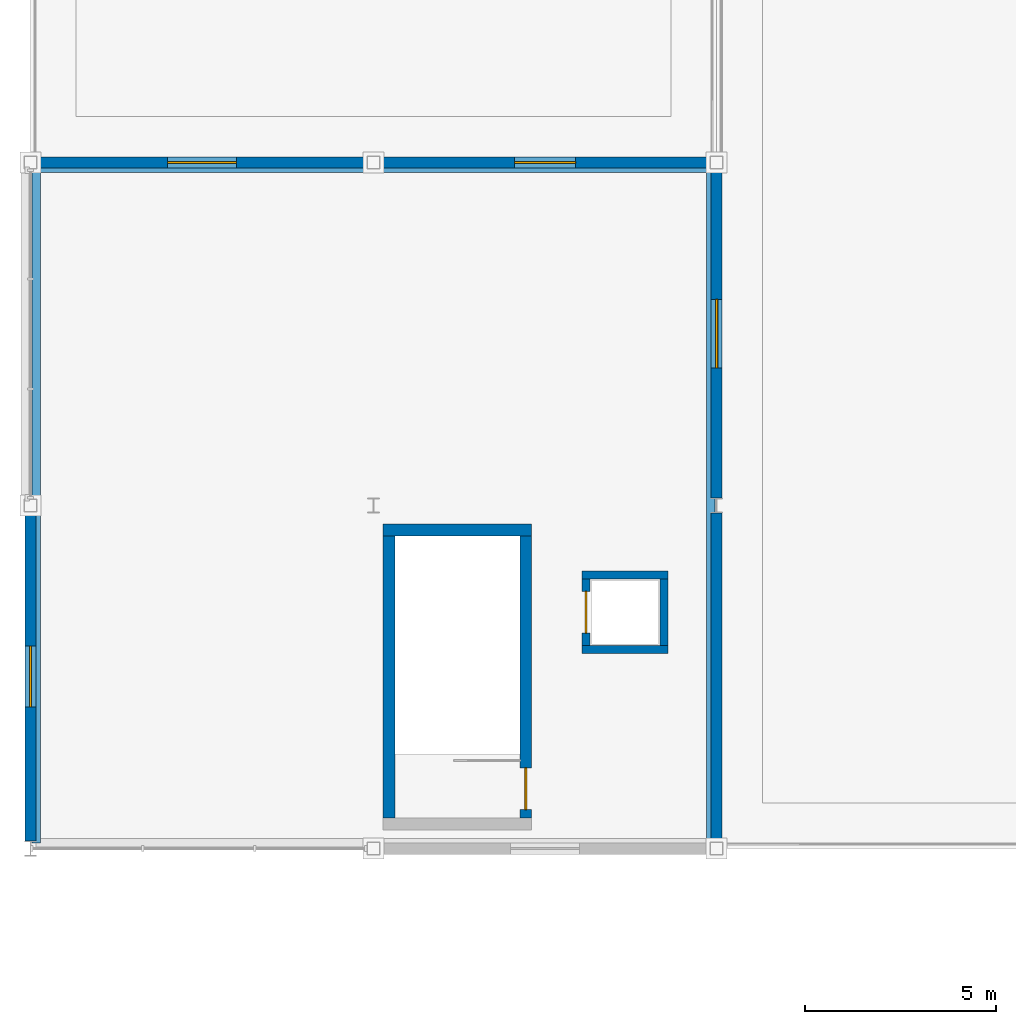
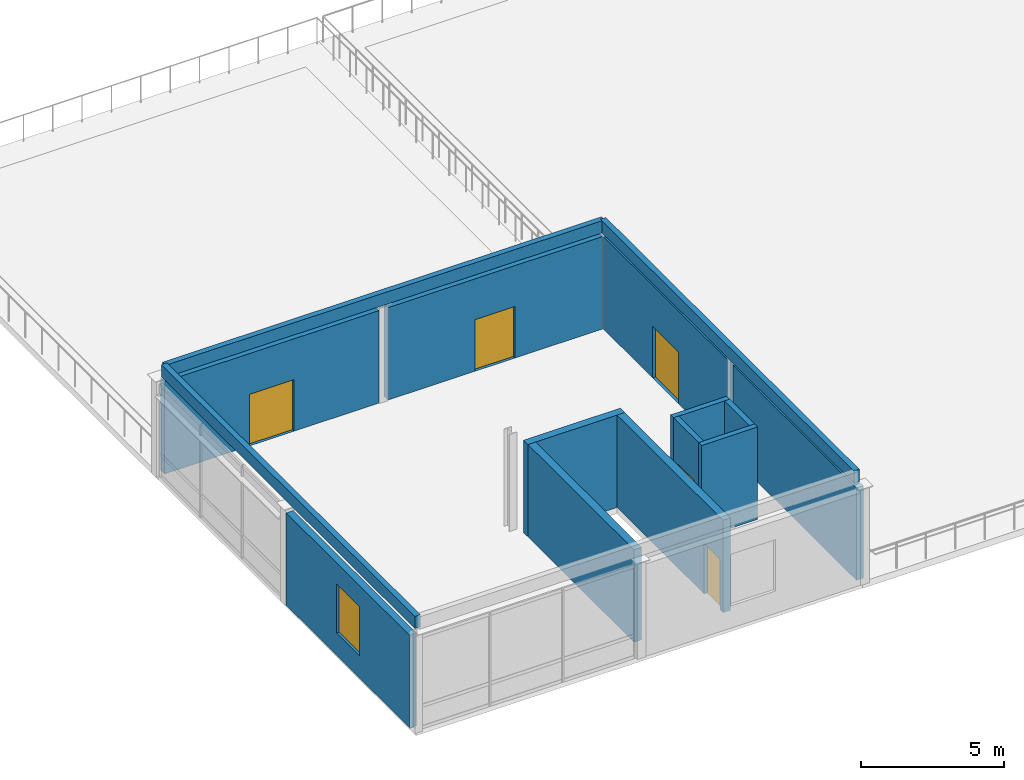
# One storey, part 9 of 14: 15 walls, 5 doors, 1 window, 6 openings.
"""IFC4 building model written with IfcOpenShell, lengths in metres."""

from ifc_helpers import new_model, si_unit, direction, frame, frame_2d, origin, place, context, subcontext, project, spatial, rectangle, extrude, material, layer, layer_set, type_object, element, fill, save


model = new_model("IFC4")

# Units and contexts
model_context = context("Model", 3, precision=1e-05, world=origin(), true_north=direction((0.0, 1.0)))
body_context = subcontext(model_context, "Body", "Model", "MODEL_VIEW")
ifc_project = project(units=[si_unit("LENGTHUNIT", "METRE"), si_unit("AREAUNIT", "SQUARE_METRE"), si_unit("VOLUMEUNIT", "CUBIC_METRE"), si_unit("PLANEANGLEUNIT", "RADIAN"), si_unit("MASSUNIT", "GRAM", prefix="KILO")], contexts=[model_context])

# Site, building, storey
site_placement = place(None, origin())
site = spatial("IfcSite", under=ifc_project, at=site_placement, CompositionType="ELEMENT")
building_placement = place(site_placement, origin())
building = spatial("IfcBuilding", under=site, at=building_placement, Name="Suzunagisa Mobility Hub", CompositionType="ELEMENT")
storey_placement = place(building_placement, frame((0.0, 0.0, 26.10009765625)))
storey = spatial("IfcBuildingStorey", under=building, at=storey_placement, Name="L06", CompositionType="ELEMENT", Elevation=26.10009765625)

# Walls
ifc_material_1 = material(Name="Concrete C30/37", Category="concrete")
ifc_layer_1 = layer(ifc_material_1, 0.219970703125)
ifc_layer_set_1 = layer_set([ifc_layer_1], Name="Concrete C30/37")
wall_type_1 = type_object("IfcWallType", Name="Exterior Wall EW-05 220mm", PredefinedType="PARAPET", material=ifc_layer_set_1)
for number, where, z_axis, x_axis, name in (
    (1, (45.14990234375, 80.14990234375, 4.199951171875), (0.0, 0.0, 1.0), (0.0, 1.0, 0.0), "Roof Penthouse Parapet PR-527"),
    (2, (45.14990234375, 97.85009765625, 4.199951171875), (0.0, 0.0, 1.0), (1.0, 0.0, 0.0), "Roof Penthouse Parapet PR-528"),
    (3, (62.85009765625, 97.85009765625, 4.199951171875), (0.0, 0.0, 1.0), (0.0, -1.0, 0.0), "Roof Penthouse Parapet PR-529"),
):
    element("IfcWall", number, at=place(storey_placement, frame(where, z_axis=z_axis, x_axis=x_axis)), inside=storey, type_object=wall_type_1, Name=name, PredefinedType="PARAPET", context=body_context, shape_type="SweptSolid", body=[
        extrude(rectangle(XDim=17.7001953125, YDim=0.219970703125, at=frame_2d((8.85009765625, 0.0))), origin(), (0.0, 0.0, 1.0), 0.52001953125),
    ])
ifc_material_2 = material(Name="Porcelain-Faced Insulated Concrete C30/37 Wall", Category="concrete")
ifc_layer_2 = layer(ifc_material_2, 0.280029296875)
ifc_layer_set_2 = layer_set([ifc_layer_2], Name="Porcelain-Faced Insulated Concrete C30/37 Wall")
wall_type_2 = type_object("IfcWallType", Name="Exterior Wall EW-08 280mm", PredefinedType="SOLIDWALL", material=ifc_layer_set_2)
wall_1_placement = place(storey_placement, frame((63.0, 80.175048828125, 0.0), z_axis=(0.0, 0.0, 1.0), x_axis=(0.0, 1.0, 0.0)))
element("IfcWall", 4, at=wall_1_placement, inside=storey, type_object=wall_type_2, Name="L06 Terrace Access Wall 257", PredefinedType="SOLIDWALL", context=body_context, shape_type="SweptSolid", body=[
    extrude(rectangle(XDim=8.6298828125, YDim=0.280029296875, at=frame_2d((4.31494140625, 0.0))), origin(), (0.0, 0.0, 1.0), 3.93994140625),
])

# Wall, opening, door
wall_2_placement = place(storey_placement, frame((63.0, 89.195068359375, 0.0), z_axis=(0.0, 0.0, 1.0), x_axis=(0.0, 1.0, 0.0)))
wall_2 = element("IfcWall", 5, at=wall_2_placement, inside=storey, type_object=wall_type_2, Name="L06 Terrace Access Wall 258", PredefinedType="SOLIDWALL", context=body_context, shape_type="SweptSolid", body=[
    extrude(rectangle(XDim=8.6298828125, YDim=0.280029296875, at=frame_2d((4.31494140625, 0.0))), origin(), (0.0, 0.0, 1.0), 3.93994140625),
])
opening_1_placement = place(wall_2_placement, frame((5.215087890625, 0.0, 0.0), z_axis=(0.0, 0.0, 1.0), x_axis=(-1.0, 0.0, 0.0)))
opening_1 = element("IfcOpeningElement", 6, at=opening_1_placement, cuts=wall_2, Name="Opening ED-12", PredefinedType="OPENING", context=body_context, shape_type="SweptSolid", body=[
    extrude(rectangle(XDim=1.800048828125, YDim=2.199951171875, at=frame_2d((0.89990234375, 1.10009765625))), frame((0.0, 0.15087890625, 0.0), z_axis=(0.0, -1.0, 0.0), x_axis=(1.0, 0.0, 0.0)), (0.0, 0.0, 1.0), 0.302001953125),
])
ifc_material_3 = material(Name="Anodized Aluminum and Tempered Safety Glass", Category="aluminium")
door_type_1 = type_object("IfcDoorType", Name="Exterior Glazed Aluminum Door ED-12 1800x2200", OperationType="DOUBLE_DOOR_SINGLE_SWING", PredefinedType="DOOR", material=ifc_material_3)
door_1_placement = place(opening_1_placement, origin())
door_1 = element("IfcDoor", 7, at=door_1_placement, inside=storey, type_object=door_type_1, Name="L06 Roof Garden Terrace Access Door TD-27", OperationType="SINGLE_SWING_LEFT", OverallHeight=2.199951171875, OverallWidth=1.800048828125, PredefinedType="DOOR", context=body_context, shape_type="SweptSolid", body=[
    extrude(rectangle(XDim=1.800048828125, YDim=2.199951171875, at=frame_2d((0.89990234375, 1.10009765625))), frame((0.0, 0.02490234375, 0.0), z_axis=(0.0, -1.0, 0.0), x_axis=(1.0, 0.0, 0.0)), (0.0, 0.0, 1.0), 0.050048828125),
])
fill(opening_1, door_1)

wall_3_placement = place(storey_placement, frame((62.824951171875, 98.0, 0.0), z_axis=(0.0, 0.0, 1.0), x_axis=(-1.0, 0.0, 0.0)))
wall_3 = element("IfcWall", 8, at=wall_3_placement, inside=storey, type_object=wall_type_2, Name="L06 Terrace Access Wall 259", PredefinedType="SOLIDWALL", context=body_context, shape_type="SweptSolid", body=[
    extrude(rectangle(XDim=8.64990234375, YDim=0.280029296875, at=frame_2d((4.324951171875, 0.0))), origin(), (0.0, 0.0, 1.0), 3.93994140625),
])
opening_2_placement = place(wall_3_placement, frame((5.125, 0.0, 0.0), z_axis=(0.0, 0.0, 1.0), x_axis=(-1.0, 0.0, 0.0)))
opening_2 = element("IfcOpeningElement", 9, at=opening_2_placement, cuts=wall_3, Name="Opening ED-03", PredefinedType="OPENING", context=body_context, shape_type="SweptSolid", body=[
    extrude(rectangle(XDim=1.60009765625, YDim=2.199951171875, at=frame_2d((0.800048828125, 1.10009765625))), frame((0.0, 0.15087890625, 0.0), z_axis=(0.0, -1.0, 0.0), x_axis=(1.0, 0.0, 0.0)), (0.0, 0.0, 1.0), 0.302001953125),
])
door_type_2 = type_object("IfcDoorType", Name="Exterior Glazed Aluminum Door ED-03 1600x2200", OperationType="DOUBLE_DOOR_SINGLE_SWING", PredefinedType="DOOR", material=ifc_material_3)
door_2_placement = place(opening_2_placement, origin())
door_2 = element("IfcDoor", 10, at=door_2_placement, inside=storey, type_object=door_type_2, Name="L06 Roof Garden Terrace Access Door TD-28", OperationType="SINGLE_SWING_LEFT", OverallHeight=2.199951171875, OverallWidth=1.60009765625, PredefinedType="DOOR", context=body_context, shape_type="SweptSolid", body=[
    extrude(rectangle(XDim=1.60009765625, YDim=2.199951171875, at=frame_2d((0.800048828125, 1.10009765625))), frame((0.0, 0.02490234375, 0.0), z_axis=(0.0, -1.0, 0.0), x_axis=(1.0, 0.0, 0.0)), (0.0, 0.0, 1.0), 0.050048828125),
])
fill(opening_2, door_2)

wall_4_placement = place(storey_placement, frame((53.824951171875, 98.0, 0.0), z_axis=(0.0, 0.0, 1.0), x_axis=(-1.0, 0.0, 0.0)))
wall_4 = element("IfcWall", 11, at=wall_4_placement, inside=storey, type_object=wall_type_2, Name="L06 Terrace Access Wall 260", PredefinedType="SOLIDWALL", context=body_context, shape_type="SweptSolid", body=[
    extrude(rectangle(XDim=8.64990234375, YDim=0.280029296875, at=frame_2d((4.324951171875, 0.0))), origin(), (0.0, 0.0, 1.0), 3.93994140625),
])
opening_3_placement = place(wall_4_placement, frame((5.22509765625, 0.0, 0.0), z_axis=(0.0, 0.0, 1.0), x_axis=(-1.0, 0.0, 0.0)))
opening_3 = element("IfcOpeningElement", 12, at=opening_3_placement, cuts=wall_4, Name="Opening ED-12", PredefinedType="OPENING", context=body_context, shape_type="SweptSolid", body=[
    extrude(rectangle(XDim=1.800048828125, YDim=2.199951171875, at=frame_2d((0.89990234375, 1.10009765625))), frame((0.0, 0.15087890625, 0.0), z_axis=(0.0, -1.0, 0.0), x_axis=(1.0, 0.0, 0.0)), (0.0, 0.0, 1.0), 0.302001953125),
])
door_3_placement = place(opening_3_placement, origin())
door_3 = element("IfcDoor", 13, at=door_3_placement, inside=storey, type_object=door_type_1, Name="L06 Roof Garden Terrace Access Door TD-29", OperationType="SINGLE_SWING_LEFT", OverallHeight=2.199951171875, OverallWidth=1.800048828125, PredefinedType="DOOR", context=body_context, shape_type="SweptSolid", body=[
    extrude(rectangle(XDim=1.800048828125, YDim=2.199951171875, at=frame_2d((0.89990234375, 1.10009765625))), frame((0.0, 0.02490234375, 0.0), z_axis=(0.0, -1.0, 0.0), x_axis=(1.0, 0.0, 0.0)), (0.0, 0.0, 1.0), 0.050048828125),
])
fill(opening_3, door_3)

# Wall, opening, window
wall_5_placement = place(storey_placement, frame((45.0, 88.824951171875, 0.0), z_axis=(0.0, 0.0, 1.0), x_axis=(0.0, -1.0, 0.0)))
wall_5 = element("IfcWall", 14, at=wall_5_placement, inside=storey, type_object=wall_type_2, Name="L06 Exterior Facade Wall EW-261", PredefinedType="SOLIDWALL", context=body_context, shape_type="SweptSolid", body=[
    extrude(rectangle(XDim=8.6298828125, YDim=0.280029296875, at=frame_2d((4.31494140625, 0.0))), origin(), (0.0, 0.0, 1.0), 3.93994140625),
])
opening_4_placement = place(wall_5_placement, frame((3.514892578125, 0.0, 0.949951171875)))
opening_4 = element("IfcOpeningElement", 15, at=opening_4_placement, cuts=wall_5, Name="Opening WN-04", PredefinedType="OPENING", context=body_context, shape_type="SweptSolid", body=[
    extrude(rectangle(XDim=1.60009765625, YDim=2.10009765625, at=frame_2d((0.800048828125, 1.050048828125))), frame((0.0, 0.15087890625, 0.0), z_axis=(0.0, -1.0, 0.0), x_axis=(1.0, 0.0, 0.0)), (0.0, 0.0, 1.0), 0.302001953125),
])
ifc_material_4 = material(Name="Thermally Broken Anodized Aluminum and Low-E Double Glazing", Category="aluminium")
window_type = type_object("IfcWindowType", Name="Aluminum Window WN-04 1600x2100", PartitioningType="SINGLE_PANEL", PredefinedType="WINDOW", material=ifc_material_4)
window_placement = place(opening_4_placement, origin())
window = element("IfcWindow", 16, at=window_placement, inside=storey, type_object=window_type, Name="L06 Scheduled Facade Window WN-88", OverallHeight=2.10009765625, OverallWidth=1.60009765625, PartitioningType="SINGLE_PANEL", PredefinedType="WINDOW", context=body_context, shape_type="SweptSolid", body=[
    extrude(rectangle(XDim=1.60009765625, YDim=2.10009765625, at=frame_2d((0.800048828125, 1.050048828125))), frame((0.0, 0.030029296875, 0.0), z_axis=(0.0, -1.0, 0.0), x_axis=(1.0, 0.0, 0.0)), (0.0, 0.0, 1.0), 0.06005859375),
])
fill(opening_4, window)

# Walls
ifc_material_5 = material(Name="Concrete C35/45", Category="concrete")
ifc_layer_3 = layer(ifc_material_5, 0.31005859375)
ifc_layer_set_3 = layer_set([ifc_layer_3], Name="Concrete C35/45")
wall_type_3 = type_object("IfcWallType", Name="Interior Wall IW-01 310mm", PredefinedType="SHEAR", material=ifc_layer_set_3)
wall_6_placement = place(storey_placement, frame((54.25, 88.35498046875, 0.0), z_axis=(0.0, 0.0, 1.0), x_axis=(1.0, 0.0, 0.0)))
element("IfcWall", 17, at=wall_6_placement, inside=storey, type_object=wall_type_3, Name="L06 Core C3 Shear Wall SW-238", PredefinedType="SHEAR", context=body_context, shape_type="SweptSolid", body=[
    extrude(rectangle(XDim=3.89990234375, YDim=0.31005859375, at=frame_2d((1.949951171875, 0.0))), origin(), (0.0, 0.0, 1.0), 3.93994140625),
])
wall_7_placement = place(storey_placement, frame((54.405029296875, 80.800048828125, 0.0), z_axis=(0.0, 0.0, 1.0), x_axis=(0.0, 1.0, 0.0)))
element("IfcWall", 18, at=wall_7_placement, inside=storey, type_object=wall_type_3, Name="L06 Core C3 Shear Wall SW-239", PredefinedType="SHEAR", context=body_context, shape_type="SweptSolid", body=[
    extrude(rectangle(XDim=7.39990234375, YDim=0.31005859375, at=frame_2d((3.699951171875, 0.0))), origin(), (0.0, 0.0, 1.0), 3.93994140625),
])

# Wall, opening, door
wall_8_placement = place(storey_placement, frame((57.9951171875, 80.800048828125, 0.0), z_axis=(0.0, 0.0, 1.0), x_axis=(0.0, 1.0, 0.0)))
wall_8 = element("IfcWall", 19, at=wall_8_placement, inside=storey, type_object=wall_type_3, Name="L06 Core C3 Shear Wall SW-240", PredefinedType="SHEAR", context=body_context, shape_type="SweptSolid", body=[
    extrude(rectangle(XDim=7.39990234375, YDim=0.31005859375, at=frame_2d((3.699951171875, 0.0))), origin(), (0.0, 0.0, 1.0), 3.93994140625),
])
opening_5_placement = place(wall_8_placement, frame((0.219970703125, 0.0, 0.0)))
opening_5 = element("IfcOpeningElement", 20, at=opening_5_placement, cuts=wall_8, Name="Opening DR-05", PredefinedType="OPENING", context=body_context, shape_type="SweptSolid", body=[
    extrude(rectangle(XDim=1.10009765625, YDim=2.14990234375, at=frame_2d((0.550048828125, 1.074951171875))), frame((0.0, 0.166015625, 0.0), z_axis=(0.0, -1.0, 0.0), x_axis=(1.0, 0.0, 0.0)), (0.0, 0.0, 1.0), 0.33203125),
])
ifc_material_6 = material(Name="Fire-Rated Hollow Steel Stair Door", Category="steel")
door_type_3 = type_object("IfcDoorType", Name="Interior Door DR-05 1100x2150", OperationType="SINGLE_SWING_LEFT", PredefinedType="DOOR", material=ifc_material_6)
door_4_placement = place(opening_5_placement, origin())
door_4 = element("IfcDoor", 21, at=door_4_placement, inside=storey, type_object=door_type_3, Name="L06 Core C3 Escape Stair Fire Door SD-58", OperationType="SINGLE_SWING_RIGHT", OverallHeight=2.14990234375, OverallWidth=1.10009765625, PredefinedType="DOOR", context=body_context, shape_type="SweptSolid", body=[
    extrude(rectangle(XDim=1.10009765625, YDim=2.14990234375, at=frame_2d((0.550048828125, 1.074951171875))), frame((0.0, 0.02490234375, 0.0), z_axis=(0.0, -1.0, 0.0), x_axis=(1.0, 0.0, 0.0)), (0.0, 0.0, 1.0), 0.050048828125),
])
fill(opening_5, door_4)

ifc_material_7 = material(Name="Fire-Rated Gypsum Stud Partition", Category="gypsum")
ifc_layer_4 = layer(ifc_material_7, 0.2099609375)
ifc_layer_set_4 = layer_set([ifc_layer_4], Name="Fire-Rated Gypsum Stud Partition")
wall_type_4 = type_object("IfcWallType", Name="Interior Wall IW-03 210mm", PredefinedType="PARTITIONING", material=ifc_layer_set_4)
wall_9_placement = place(storey_placement, frame((59.574951171875, 85.330078125, 0.0), z_axis=(0.0, 0.0, 1.0), x_axis=(0.0, 1.0, 0.0)))
wall_9 = element("IfcWall", 22, at=wall_9_placement, inside=storey, type_object=wall_type_4, Name="L06 Lift LF-04 Shaft Front Wall", PredefinedType="PARTITIONING", context=body_context, shape_type="SweptSolid", body=[
    extrude(rectangle(XDim=1.739990234375, YDim=0.2099609375, at=frame_2d((0.8701171875, 0.0))), origin(), (0.0, 0.0, 1.0), 3.93994140625),
])
opening_6_placement = place(wall_9_placement, frame((0.320068359375, 0.0, 0.0)))
opening_6 = element("IfcOpeningElement", 23, at=opening_6_placement, cuts=wall_9, Name="Opening LD-01", PredefinedType="OPENING", context=body_context, shape_type="SweptSolid", body=[
    extrude(rectangle(XDim=1.10009765625, YDim=2.14990234375, at=frame_2d((0.550048828125, 1.074951171875))), frame((0.0, 0.115966796875, 0.0), z_axis=(0.0, -1.0, 0.0), x_axis=(1.0, 0.0, 0.0)), (0.0, 0.0, 1.0), 0.23193359375),
])
ifc_material_8 = material(Name="Brushed Stainless Steel SUS304", Category="metal")
door_type_4 = type_object("IfcDoorType", Name="Lift Landing Sliding Door LD-01 1100x2150", OperationType="SLIDING_TO_LEFT", PredefinedType="DOOR", material=ifc_material_8)
door_5_placement = place(opening_6_placement, origin())
door_5 = element("IfcDoor", 24, at=door_5_placement, inside=storey, type_object=door_type_4, Name="L06 Lift LF-04 Sliding Landing Door", OperationType="SLIDING_TO_LEFT", OverallHeight=2.14990234375, OverallWidth=1.10009765625, PredefinedType="DOOR", context=body_context, shape_type="SweptSolid", body=[
    extrude(rectangle(XDim=1.10009765625, YDim=2.14990234375, at=frame_2d((0.550048828125, 1.074951171875))), frame((0.0, 0.02490234375, 0.0), z_axis=(0.0, -1.0, 0.0), x_axis=(1.0, 0.0, 0.0)), (0.0, 0.0, 1.0), 0.050048828125),
])
fill(opening_6, door_5)

# Walls
wall_10_placement = place(storey_placement, frame((61.625, 85.330078125, 0.0), z_axis=(0.0, 0.0, 1.0), x_axis=(0.0, 1.0, 0.0)))
element("IfcWall", 25, at=wall_10_placement, inside=storey, type_object=wall_type_4, Name="L06 Lift LF-04 Shaft Back Wall", PredefinedType="PARTITIONING", context=body_context, shape_type="SweptSolid", body=[
    extrude(rectangle(XDim=1.739990234375, YDim=0.2099609375, at=frame_2d((0.8701171875, 0.0))), origin(), (0.0, 0.0, 1.0), 3.93994140625),
])
for number, where, z_axis, x_axis, name in (
    (26, (59.469970703125, 85.22509765625, 0.0), (0.0, 0.0, 1.0), (1.0, 0.0, 0.0), "L06 Lift LF-04 Shaft South Wall"),
    (27, (59.469970703125, 87.175048828125, 0.0), (0.0, 0.0, 1.0), (1.0, 0.0, 0.0), "L06 Lift LF-04 Shaft North Wall"),
):
    element("IfcWall", number, at=place(storey_placement, frame(where, z_axis=z_axis, x_axis=x_axis)), inside=storey, type_object=wall_type_4, Name=name, PredefinedType="PARTITIONING", context=body_context, shape_type="SweptSolid", body=[
        extrude(rectangle(XDim=2.260009765625, YDim=0.2099609375, at=frame_2d((1.1298828125, 0.0))), origin(), (0.0, 0.0, 1.0), 3.93994140625),
    ])

save(model, "model.ifc")
